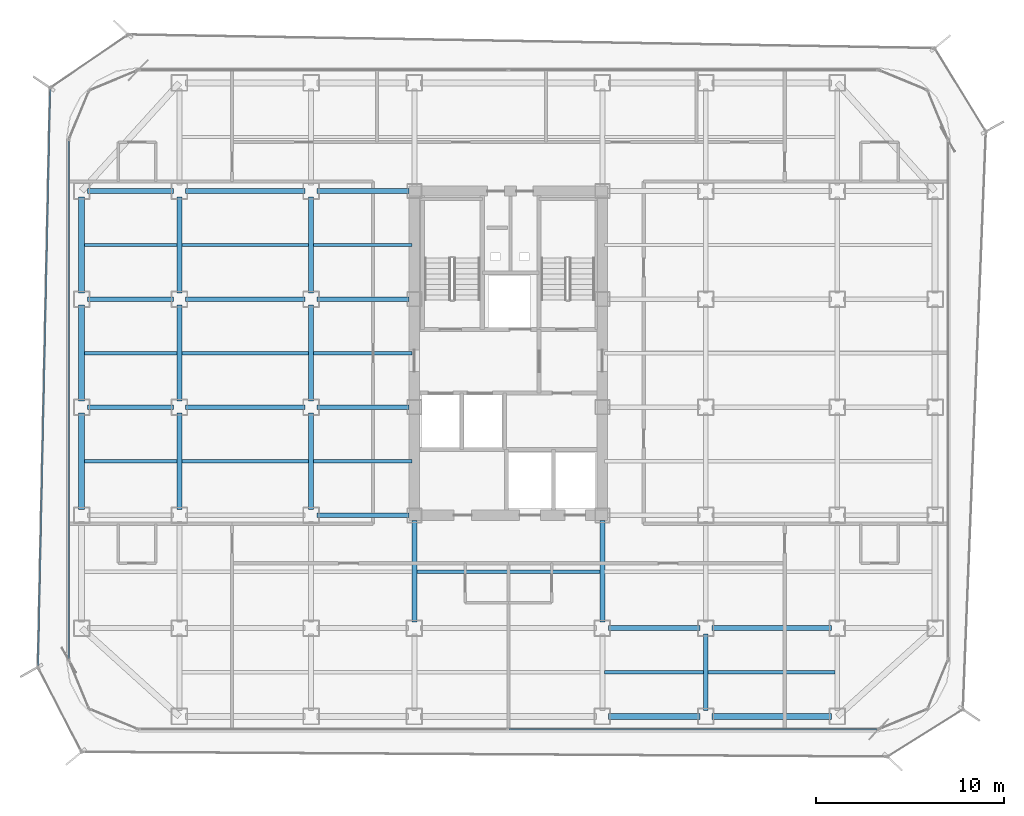
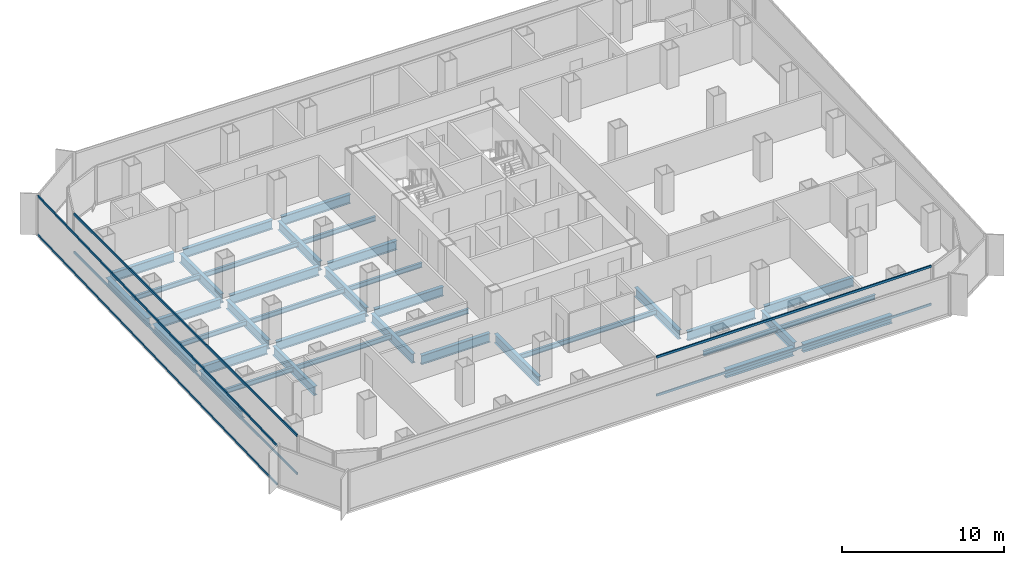
# One storey, part 5 of 21: 38 beams, 6 members, 3 elements without a shape of their own.
"""IFC4 building model written with IfcOpenShell, lengths in metres."""

from ifc_helpers import new_model, si_unit, direction, frame, origin, origin_2d, place, context, subcontext, project, spatial, hollow_rectangle, i_section, extrude, source, transform, mapped, material, layer, layer_set, material_profile, profile_set, type_object, element, aggregate, save


model = new_model("IFC4")

# Units and contexts
model_context = context("Model", 3, precision=1e-05, world=origin(), true_north=direction((0.0, 1.0)))
body_context = subcontext(model_context, "Body", "Model", "MODEL_VIEW")
ifc_project = project(units=[si_unit("LENGTHUNIT", "METRE"), si_unit("AREAUNIT", "SQUARE_METRE"), si_unit("VOLUMEUNIT", "CUBIC_METRE"), si_unit("PLANEANGLEUNIT", "RADIAN"), si_unit("MASSUNIT", "GRAM", prefix="KILO")], contexts=[model_context])

# Site, building, storey
site_placement = place(None, origin())
site = spatial("IfcSite", under=ifc_project, at=site_placement, CompositionType="ELEMENT")
building_placement = place(site_placement, origin())
building = spatial("IfcBuilding", under=site, at=building_placement, Name="Kolveth Station Tower", CompositionType="ELEMENT")
storey_placement = place(building_placement, frame((0.0, 0.0, 137.5)))
storey = spatial("IfcBuildingStorey", under=building, at=storey_placement, Name="L38", CompositionType="ELEMENT", Elevation=137.5)

# Beams
ifc_material_1 = material(Name="Steel S355", Category="steel")
ifc_material_profile_1 = material_profile(ifc_material_1, i_section(OverallWidth=0.323974609375, OverallDepth=0.611083984375, WebThickness=0.0126953125, FlangeThickness=0.01904296875, at=origin_2d()), Name="W610x155")
ifc_profile_set_1 = profile_set([ifc_material_profile_1], Name="Steel S355")
beam_type_1 = type_object("IfcBeamType", Name="Beam_SP2", PredefinedType="SPANDREL", material=ifc_profile_set_1)
shared_shape_1 = source(origin(), body_context, "Body", "SweptSolid", [
    extrude(i_section(OverallWidth=0.323974609375, OverallDepth=0.611083984375, WebThickness=0.0126953125, FlangeThickness=0.01904296875, at=origin_2d()), origin(), (0.0, 0.0, 1.0), 6.35986328125),
])
beam_1_placement = place(storey_placement, frame((34.320068359375, 0.800048828125, -0.555419921875), z_axis=(1.0, 0.0, 0.0), x_axis=(0.0, 1.0, 0.0)))
element("IfcBeam", 1, at=beam_1_placement, inside=storey, type_object=beam_type_1, Name="L38 Perimeter Spandrel BM-L38-PS-5", PredefinedType="SPANDREL", context=body_context, shape_type="MappedRepresentation", body=[
    mapped(shared_shape_1, transform((0.0, 0.0, 0.0), x_axis=(1.0, 0.0, 0.0), y_axis=(0.0, 1.0, 0.0), z_axis=(0.0, 0.0, 1.0), scale=1.0)),
])
shared_shape_2 = source(origin(), body_context, "Body", "SweptSolid", [
    extrude(i_section(OverallWidth=0.323974609375, OverallDepth=0.611083984375, WebThickness=0.0126953125, FlangeThickness=0.01904296875, at=origin_2d()), origin(), (0.0, 0.0, 1.0), 4.85986328125),
])
beam_2_placement = place(storey_placement, frame((28.820068359375, 0.800048828125, -0.555419921875), z_axis=(1.0, 0.0, 0.0), x_axis=(0.0, 1.0, 0.0)))
element("IfcBeam", 2, at=beam_2_placement, inside=storey, type_object=beam_type_1, Name="L38 Perimeter Spandrel BM-L38-PS-4", PredefinedType="SPANDREL", context=body_context, shape_type="MappedRepresentation", body=[
    mapped(shared_shape_2, transform((0.0, 0.0, 0.0), x_axis=(1.0, 0.0, 0.0), y_axis=(0.0, 1.0, 0.0), z_axis=(0.0, 0.0, 1.0), scale=1.0)),
])
shared_shape_3 = source(origin(), body_context, "Body", "SweptSolid", [
    extrude(i_section(OverallWidth=0.323974609375, OverallDepth=0.611083984375, WebThickness=0.0126953125, FlangeThickness=0.01904296875, at=origin_2d()), origin(), (0.0, 0.0, 1.0), 5.10986328125),
])
for number, where, z_axis, x_axis, name in (
    (3, (0.800048828125, 11.820068359375, -0.555419921875), (0.0, 1.0, 0.0), (-1.0, 0.0, 0.0), "L38 Perimeter Spandrel BM-L38-PW-2"),
    (4, (0.800048828125, 17.570068359375, -0.555419921875), (0.0, 1.0, 0.0), (-1.0, 0.0, 0.0), "L38 Perimeter Spandrel BM-L38-PW-3"),
    (5, (0.800048828125, 23.320068359375, -0.555419921875), (0.0, 1.0, 0.0), (-1.0, 0.0, 0.0), "L38 Perimeter Spandrel BM-L38-PW-4"),
):
    element("IfcBeam", number, at=place(storey_placement, frame(where, z_axis=z_axis, x_axis=x_axis)), inside=storey, type_object=beam_type_1, Name=name, PredefinedType="SPANDREL", context=body_context, shape_type="MappedRepresentation", body=[
        mapped(shared_shape_3, transform((0.0, 0.0, 0.0), x_axis=(1.0, 0.0, 0.0), y_axis=(0.0, 1.0, 0.0), z_axis=(0.0, 0.0, 1.0), scale=1.0)),
    ])
ifc_material_profile_2 = material_profile(ifc_material_1, i_section(OverallWidth=0.25390625, OverallDepth=0.68798828125, WebThickness=0.01318359375, FlangeThickness=0.02099609375, at=origin_2d()), Name="W690x152")
ifc_profile_set_2 = profile_set([ifc_material_profile_2], Name="Steel S355")
beam_type_2 = type_object("IfcBeamType", Name="Beam_B4", PredefinedType="BEAM", material=ifc_profile_set_2)
shared_shape_4 = source(origin(), body_context, "Body", "SweptSolid", [
    extrude(i_section(OverallWidth=0.25390625, OverallDepth=0.68798828125, WebThickness=0.01318359375, FlangeThickness=0.02099609375, at=origin_2d()), origin(), (0.0, 0.0, 1.0), 4.559814453125),
])
for number, where, z_axis, x_axis, name in (
    (6, (1.1201171875, 17.25, -0.593994140625), (1.0, 0.0, 0.0), (0.0, 1.0, 0.0), "L38 Primary Girder BM-L38-GY172-1"),
    (7, (1.1201171875, 23.0, -0.593994140625), (1.0, 0.0, 0.0), (0.0, 1.0, 0.0), "L38 Primary Girder BM-L38-GY230-1"),
    (8, (1.1201171875, 28.75, -0.593994140625), (1.0, 0.0, 0.0), (0.0, 1.0, 0.0), "L38 Primary Girder BM-L38-GY287-1"),
):
    element("IfcBeam", number, at=place(storey_placement, frame(where, z_axis=z_axis, x_axis=x_axis)), inside=storey, type_object=beam_type_2, Name=name, PredefinedType="BEAM", context=body_context, shape_type="MappedRepresentation", body=[
        mapped(shared_shape_4, transform((0.0, 0.0, 0.0), x_axis=(1.0, 0.0, 0.0), y_axis=(0.0, 1.0, 0.0), z_axis=(0.0, 0.0, 1.0), scale=1.0)),
    ])
shared_shape_5 = source(origin(), body_context, "Body", "SweptSolid", [
    extrude(i_section(OverallWidth=0.25390625, OverallDepth=0.68798828125, WebThickness=0.01318359375, FlangeThickness=0.02099609375, at=origin_2d()), origin(), (0.0, 0.0, 1.0), 6.35986328125),
])
for number, where, z_axis, x_axis, name in (
    (9, (34.320068359375, 5.5, -0.593994140625), (1.0, 0.0, 0.0), (0.0, 1.0, 0.0), "L38 Primary Girder BM-L38-GY55-6"),
    (10, (6.320068359375, 17.25, -0.593994140625), (1.0, 0.0, 0.0), (0.0, 1.0, 0.0), "L38 Primary Girder BM-L38-GY172-2"),
    (11, (6.320068359375, 23.0, -0.593994140625), (1.0, 0.0, 0.0), (0.0, 1.0, 0.0), "L38 Primary Girder BM-L38-GY230-2"),
    (12, (6.320068359375, 28.75, -0.593994140625), (1.0, 0.0, 0.0), (0.0, 1.0, 0.0), "L38 Primary Girder BM-L38-GY287-2"),
):
    element("IfcBeam", number, at=place(storey_placement, frame(where, z_axis=z_axis, x_axis=x_axis)), inside=storey, type_object=beam_type_2, Name=name, PredefinedType="BEAM", context=body_context, shape_type="MappedRepresentation", body=[
        mapped(shared_shape_5, transform((0.0, 0.0, 0.0), x_axis=(1.0, 0.0, 0.0), y_axis=(0.0, 1.0, 0.0), z_axis=(0.0, 0.0, 1.0), scale=1.0)),
    ])
shared_shape_6 = source(origin(), body_context, "Body", "SweptSolid", [
    extrude(i_section(OverallWidth=0.25390625, OverallDepth=0.68798828125, WebThickness=0.01318359375, FlangeThickness=0.02099609375, at=origin_2d()), origin(), (0.0, 0.0, 1.0), 4.85986328125),
])
beam_3_placement = place(storey_placement, frame((28.820068359375, 5.5, -0.593994140625), z_axis=(1.0, 0.0, 0.0), x_axis=(0.0, 1.0, 0.0)))
element("IfcBeam", 13, at=beam_3_placement, inside=storey, type_object=beam_type_2, Name="L38 Primary Girder BM-L38-GY55-5", PredefinedType="BEAM", context=body_context, shape_type="MappedRepresentation", body=[
    mapped(shared_shape_6, transform((0.0, 0.0, 0.0), x_axis=(1.0, 0.0, 0.0), y_axis=(0.0, 1.0, 0.0), z_axis=(0.0, 0.0, 1.0), scale=1.0)),
])
shared_shape_7 = source(origin(), body_context, "Body", "SweptSolid", [
    extrude(i_section(OverallWidth=0.25390625, OverallDepth=0.68798828125, WebThickness=0.01318359375, FlangeThickness=0.02099609375, at=origin_2d()), origin(), (0.0, 0.0, 1.0), 4.89990234375),
])
for number, where, z_axis, x_axis, name in (
    (14, (13.320068359375, 11.5, -0.593994140625), (1.0, 0.0, 0.0), (0.0, 1.0, 0.0), "L38 Primary Girder BM-L38-GY115-3"),
    (15, (13.320068359375, 17.25, -0.593994140625), (1.0, 0.0, 0.0), (0.0, 1.0, 0.0), "L38 Primary Girder BM-L38-GY172-3"),
    (16, (13.320068359375, 23.0, -0.593994140625), (1.0, 0.0, 0.0), (0.0, 1.0, 0.0), "L38 Primary Girder BM-L38-GY230-3"),
    (17, (13.320068359375, 28.75, -0.593994140625), (1.0, 0.0, 0.0), (0.0, 1.0, 0.0), "L38 Primary Girder BM-L38-GY287-3"),
):
    element("IfcBeam", number, at=place(storey_placement, frame(where, z_axis=z_axis, x_axis=x_axis)), inside=storey, type_object=beam_type_2, Name=name, PredefinedType="BEAM", context=body_context, shape_type="MappedRepresentation", body=[
        mapped(shared_shape_7, transform((0.0, 0.0, 0.0), x_axis=(1.0, 0.0, 0.0), y_axis=(0.0, 1.0, 0.0), z_axis=(0.0, 0.0, 1.0), scale=1.0)),
    ])
shared_shape_8 = source(origin(), body_context, "Body", "SweptSolid", [
    extrude(i_section(OverallWidth=0.25390625, OverallDepth=0.68798828125, WebThickness=0.01318359375, FlangeThickness=0.02099609375, at=origin_2d()), origin(), (0.0, 0.0, 1.0), 4.059814453125),
])
beam_4_placement = place(storey_placement, frame((34.0, 1.1201171875, -0.593994140625), z_axis=(0.0, 1.0, 0.0), x_axis=(-1.0, 0.0, 0.0)))
element("IfcBeam", 18, at=beam_4_placement, inside=storey, type_object=beam_type_2, Name="L38 Primary Girder BM-L38-GX340-1", PredefinedType="BEAM", context=body_context, shape_type="MappedRepresentation", body=[
    mapped(shared_shape_8, transform((0.0, 0.0, 0.0), x_axis=(1.0, 0.0, 0.0), y_axis=(0.0, 1.0, 0.0), z_axis=(0.0, 0.0, 1.0), scale=1.0)),
])
shared_shape_9 = source(origin(), body_context, "Body", "SweptSolid", [
    extrude(i_section(OverallWidth=0.25390625, OverallDepth=0.68798828125, WebThickness=0.01318359375, FlangeThickness=0.02099609375, at=origin_2d()), origin(), (0.0, 0.0, 1.0), 5.10986328125),
])
for number, where, z_axis, x_axis, name in (
    (19, (6.0, 11.820068359375, -0.593994140625), (0.0, 1.0, 0.0), (-1.0, 0.0, 0.0), "L38 Primary Girder BM-L38-GX60-3"),
    (20, (6.0, 17.570068359375, -0.593994140625), (0.0, 1.0, 0.0), (-1.0, 0.0, 0.0), "L38 Primary Girder BM-L38-GX60-4"),
    (21, (6.0, 23.320068359375, -0.593994140625), (0.0, 1.0, 0.0), (-1.0, 0.0, 0.0), "L38 Primary Girder BM-L38-GX60-5"),
    (22, (13.0, 11.820068359375, -0.593994140625), (0.0, 1.0, 0.0), (-1.0, 0.0, 0.0), "L38 Primary Girder BM-L38-GX130-3"),
    (23, (13.0, 17.570068359375, -0.593994140625), (0.0, 1.0, 0.0), (-1.0, 0.0, 0.0), "L38 Primary Girder BM-L38-GX130-4"),
    (24, (13.0, 23.320068359375, -0.593994140625), (0.0, 1.0, 0.0), (-1.0, 0.0, 0.0), "L38 Primary Girder BM-L38-GX130-5"),
):
    element("IfcBeam", number, at=place(storey_placement, frame(where, z_axis=z_axis, x_axis=x_axis)), inside=storey, type_object=beam_type_2, Name=name, PredefinedType="BEAM", context=body_context, shape_type="MappedRepresentation", body=[
        mapped(shared_shape_9, transform((0.0, 0.0, 0.0), x_axis=(1.0, 0.0, 0.0), y_axis=(0.0, 1.0, 0.0), z_axis=(0.0, 0.0, 1.0), scale=1.0)),
    ])
shared_shape_10 = source(origin(), body_context, "Body", "SweptSolid", [
    extrude(i_section(OverallWidth=0.25390625, OverallDepth=0.68798828125, WebThickness=0.01318359375, FlangeThickness=0.02099609375, at=origin_2d()), origin(), (0.0, 0.0, 1.0), 5.39990234375),
])
for number, where, z_axis, x_axis, name in (
    (25, (18.5, 5.820068359375, -0.593994140625), (0.0, 1.0, 0.0), (-1.0, 0.0, 0.0), "L38 Primary Girder BM-L38-GX185-2"),
    (26, (28.5, 5.820068359375, -0.593994140625), (0.0, 1.0, 0.0), (-1.0, 0.0, 0.0), "L38 Primary Girder BM-L38-GX285-2"),
):
    element("IfcBeam", number, at=place(storey_placement, frame(where, z_axis=z_axis, x_axis=x_axis)), inside=storey, type_object=beam_type_2, Name=name, PredefinedType="BEAM", context=body_context, shape_type="MappedRepresentation", body=[
        mapped(shared_shape_10, transform((0.0, 0.0, 0.0), x_axis=(1.0, 0.0, 0.0), y_axis=(0.0, 1.0, 0.0), z_axis=(0.0, 0.0, 1.0), scale=1.0)),
    ])
ifc_material_profile_3 = material_profile(ifc_material_1, i_section(OverallWidth=0.1708984375, OverallDepth=0.35205078125, WebThickness=0.0068359375, FlangeThickness=0.009765625, at=origin_2d()), Name="W360x44")
ifc_profile_set_3 = profile_set([ifc_material_profile_3], Name="Steel S355")
beam_type_3 = type_object("IfcBeamType", Name="Beam_J2", PredefinedType="JOIST", material=ifc_profile_set_3)
shared_shape_11 = source(origin(), body_context, "Body", "SweptSolid", [
    extrude(i_section(OverallWidth=0.1708984375, OverallDepth=0.35205078125, WebThickness=0.0068359375, FlangeThickness=0.009765625, at=origin_2d()), origin(), (0.0, 0.0, 1.0), 4.9150390625),
])
for number, where, z_axis, x_axis, name in (
    (27, (0.9599609375, 14.375, -0.426025390625), (1.0, 0.0, 0.0), (0.0, 1.0, 0.0), "L38 Secondary Joist JST-L38-1-3"),
    (28, (0.9599609375, 20.125, -0.426025390625), (1.0, 0.0, 0.0), (0.0, 1.0, 0.0), "L38 Secondary Joist JST-L38-1-4"),
    (29, (0.9599609375, 25.875, -0.426025390625), (1.0, 0.0, 0.0), (0.0, 1.0, 0.0), "L38 Secondary Joist JST-L38-1-5"),
):
    element("IfcBeam", number, at=place(storey_placement, frame(where, z_axis=z_axis, x_axis=x_axis)), inside=storey, type_object=beam_type_3, Name=name, PredefinedType="JOIST", context=body_context, shape_type="MappedRepresentation", body=[
        mapped(shared_shape_11, transform((0.0, 0.0, 0.0), x_axis=(1.0, 0.0, 0.0), y_axis=(0.0, 1.0, 0.0), z_axis=(0.0, 0.0, 1.0), scale=1.0)),
    ])
shared_shape_12 = source(origin(), body_context, "Body", "SweptSolid", [
    extrude(i_section(OverallWidth=0.1708984375, OverallDepth=0.35205078125, WebThickness=0.0068359375, FlangeThickness=0.009765625, at=origin_2d()), origin(), (0.0, 0.0, 1.0), 6.75),
])
for number, where, z_axis, x_axis, name in (
    (30, (6.125, 14.375, -0.426025390625), (1.0, 0.0, 0.0), (0.0, 1.0, 0.0), "L38 Secondary Joist JST-L38-2-3"),
    (31, (6.125, 20.125, -0.426025390625), (1.0, 0.0, 0.0), (0.0, 1.0, 0.0), "L38 Secondary Joist JST-L38-2-4"),
    (32, (6.125, 25.875, -0.426025390625), (1.0, 0.0, 0.0), (0.0, 1.0, 0.0), "L38 Secondary Joist JST-L38-2-5"),
    (33, (34.125, 3.14990234375, -0.426025390625), (1.0, 0.0, 0.0), (0.0, 1.0, 0.0), "L38 Secondary Joist JST-L38-6-1"),
):
    element("IfcBeam", number, at=place(storey_placement, frame(where, z_axis=z_axis, x_axis=x_axis)), inside=storey, type_object=beam_type_3, Name=name, PredefinedType="JOIST", context=body_context, shape_type="MappedRepresentation", body=[
        mapped(shared_shape_12, transform((0.0, 0.0, 0.0), x_axis=(1.0, 0.0, 0.0), y_axis=(0.0, 1.0, 0.0), z_axis=(0.0, 0.0, 1.0), scale=1.0)),
    ])
shared_shape_13 = source(origin(), body_context, "Body", "SweptSolid", [
    extrude(i_section(OverallWidth=0.1708984375, OverallDepth=0.35205078125, WebThickness=0.0068359375, FlangeThickness=0.009765625, at=origin_2d()), origin(), (0.0, 0.0, 1.0), 5.25),
])
for number, where, z_axis, x_axis, name in (
    (34, (13.125, 14.375, -0.426025390625), (1.0, 0.0, 0.0), (0.0, 1.0, 0.0), "L38 Secondary Joist JST-L38-3-3"),
    (35, (13.125, 20.125, -0.426025390625), (1.0, 0.0, 0.0), (0.0, 1.0, 0.0), "L38 Secondary Joist JST-L38-3-4"),
    (36, (13.125, 25.875, -0.426025390625), (1.0, 0.0, 0.0), (0.0, 1.0, 0.0), "L38 Secondary Joist JST-L38-3-5"),
    (37, (28.625, 3.14990234375, -0.426025390625), (1.0, 0.0, 0.0), (0.0, 1.0, 0.0), "L38 Secondary Joist JST-L38-5-1"),
):
    element("IfcBeam", number, at=place(storey_placement, frame(where, z_axis=z_axis, x_axis=x_axis)), inside=storey, type_object=beam_type_3, Name=name, PredefinedType="JOIST", context=body_context, shape_type="MappedRepresentation", body=[
        mapped(shared_shape_13, transform((0.0, 0.0, 0.0), x_axis=(1.0, 0.0, 0.0), y_axis=(0.0, 1.0, 0.0), z_axis=(0.0, 0.0, 1.0), scale=1.0)),
    ])
shared_shape_14 = source(origin(), body_context, "Body", "SweptSolid", [
    extrude(i_section(OverallWidth=0.1708984375, OverallDepth=0.35205078125, WebThickness=0.0068359375, FlangeThickness=0.009765625, at=origin_2d()), origin(), (0.0, 0.0, 1.0), 9.75),
])
beam_5_placement = place(storey_placement, frame((18.625, 8.5, -0.426025390625), z_axis=(1.0, 0.0, 0.0), x_axis=(0.0, 1.0, 0.0)))
element("IfcBeam", 38, at=beam_5_placement, inside=storey, type_object=beam_type_3, Name="L38 Secondary Joist JST-L38-4-2", PredefinedType="JOIST", context=body_context, shape_type="MappedRepresentation", body=[
    mapped(shared_shape_14, transform((0.0, 0.0, 0.0), x_axis=(1.0, 0.0, 0.0), y_axis=(0.0, 1.0, 0.0), z_axis=(0.0, 0.0, 1.0), scale=1.0)),
])

# Curtain wall, members
ifc_material_2 = material(Name="Aluminium 6063-T6 and low-E dark glass", Category="aluminium")
ifc_layer_1 = layer(ifc_material_2, 0.18994140625)
ifc_layer_set_1 = layer_set([ifc_layer_1], Name="Aluminium 6063-T6 and low-E dark glass")
curtain_wall_type_1 = type_object("IfcCurtainWallType", Name="CurtainWall_CW-Z2", PredefinedType="NOTDEFINED", material=ifc_layer_set_1)
curtain_wall_1_placement = place(storey_placement, origin())
curtain_wall_1 = element("IfcCurtainWall", 39, at=curtain_wall_1_placement, inside=storey, type_object=curtain_wall_type_1, Name="L38 Inner Thermal Curtain Wall 9", PredefinedType="NOTDEFINED")
ifc_material_3 = material(Name="Black anodized aluminium 6063-T6", Category="aluminium")
ifc_material_profile_4 = material_profile(ifc_material_3, hollow_rectangle(XDim=0.080078125, YDim=0.169921875, WallThickness=0.0048828125, at=origin_2d()), Name="ALU-80x170x5")
ifc_profile_set_4 = profile_set([ifc_material_profile_4], Name="Black anodized aluminium 6063-T6")
member_type_1 = type_object("IfcMemberType", Name="Transom_TR2", PredefinedType="USERDEFINED", material=ifc_profile_set_4)
shared_shape_15 = source(origin(), body_context, "Body", "SweptSolid", [
    extrude(hollow_rectangle(XDim=0.080078125, YDim=0.169921875, WallThickness=0.0048828125, at=origin_2d()), origin(), (0.0, 0.0, 1.0), 27.5400390625),
])
member_1_placement = place(storey_placement, frame((0.1201171875, 31.419921875, 0.0400390625), z_axis=(0.0, -1.0, 0.0), x_axis=(1.0, 0.0, 0.0)))
member_1 = element("IfcMember", 40, at=member_1_placement, type_object=member_type_1, Name="CW-Z2 transom 1.1", ObjectType="TRANSOM", PredefinedType="USERDEFINED", context=body_context, shape_type="MappedRepresentation", body=[
    mapped(shared_shape_15, transform((0.0, 0.0, 0.0), x_axis=(1.0, 0.0, 0.0), y_axis=(0.0, 1.0, 0.0), z_axis=(0.0, 0.0, 1.0), scale=1.0)),
])
member_2_placement = place(storey_placement, frame((0.1201171875, 31.419921875, 2.909912109375), z_axis=(0.0, -1.0, 0.0), x_axis=(1.0, 0.0, 0.0)))
member_2 = element("IfcMember", 41, at=member_2_placement, type_object=member_type_1, Name="CW-Z2 transom 1.2", ObjectType="TRANSOM", PredefinedType="USERDEFINED", context=body_context, shape_type="MappedRepresentation", body=[
    mapped(shared_shape_15, transform((0.0, 0.0, 0.0), x_axis=(1.0, 0.0, 0.0), y_axis=(0.0, 1.0, 0.0), z_axis=(0.0, 0.0, 1.0), scale=1.0)),
])
aggregate(curtain_wall_1, [member_1, member_2])

curtain_wall_2_placement = place(storey_placement, origin())
curtain_wall_2 = element("IfcCurtainWall", 42, at=curtain_wall_2_placement, inside=storey, type_object=curtain_wall_type_1, Name="L38 Inner Thermal Curtain Wall 12", PredefinedType="NOTDEFINED")
shared_shape_16 = source(origin(), body_context, "Body", "SweptSolid", [
    extrude(hollow_rectangle(XDim=0.080078125, YDim=0.169921875, WallThickness=0.0048828125, at=origin_2d()), origin(), (0.0, 0.0, 1.0), 19.580078125),
])
member_3_placement = place(storey_placement, frame((23.5400390625, 0.1201171875, 0.0400390625), z_axis=(1.0, 0.0, 0.0), x_axis=(0.0, 1.0, 0.0)))
member_3 = element("IfcMember", 43, at=member_3_placement, type_object=member_type_1, Name="CW-Z2 transom 2.1", ObjectType="TRANSOM", PredefinedType="USERDEFINED", context=body_context, shape_type="MappedRepresentation", body=[
    mapped(shared_shape_16, transform((0.0, 0.0, 0.0), x_axis=(1.0, 0.0, 0.0), y_axis=(0.0, 1.0, 0.0), z_axis=(0.0, 0.0, 1.0), scale=1.0)),
])
member_4_placement = place(storey_placement, frame((23.5400390625, 0.1201171875, 2.909912109375), z_axis=(1.0, 0.0, 0.0), x_axis=(0.0, 1.0, 0.0)))
member_4 = element("IfcMember", 44, at=member_4_placement, type_object=member_type_1, Name="CW-Z2 transom 2.2", ObjectType="TRANSOM", PredefinedType="USERDEFINED", context=body_context, shape_type="MappedRepresentation", body=[
    mapped(shared_shape_16, transform((0.0, 0.0, 0.0), x_axis=(1.0, 0.0, 0.0), y_axis=(0.0, 1.0, 0.0), z_axis=(0.0, 0.0, 1.0), scale=1.0)),
])
aggregate(curtain_wall_2, [member_3, member_4])

ifc_material_4 = material(Name="Black anodized aluminium 6063-T6 and dark solar glass", Category="aluminium")
ifc_layer_2 = layer(ifc_material_4, 0.159912109375)
ifc_layer_set_2 = layer_set([ifc_layer_2], Name="Black anodized aluminium 6063-T6 and dark solar glass")
curtain_wall_type_2 = type_object("IfcCurtainWallType", Name="OUTER SKIN CW-OS", PredefinedType="NOTDEFINED", material=ifc_layer_set_2)
curtain_wall_3_placement = place(storey_placement, origin())
curtain_wall_3 = element("IfcCurtainWall", 45, at=curtain_wall_3_placement, inside=storey, type_object=curtain_wall_type_2, Name="L38 Outer Ventilated Skin Curtain Wall 6", PredefinedType="NOTDEFINED")
ifc_material_profile_5 = material_profile(ifc_material_3, hollow_rectangle(XDim=0.080078125, YDim=0.14990234375, WallThickness=0.0048828125, at=origin_2d()), Name="ALU-80x150x5")
ifc_profile_set_5 = profile_set([ifc_material_profile_5], Name="Black anodized aluminium 6063-T6")
member_type_2 = type_object("IfcMemberType", Name="Transom_TR-OS", PredefinedType="USERDEFINED", material=ifc_profile_set_5)
shared_shape_17 = source(origin(), body_context, "Body", "SweptSolid", [
    extrude(hollow_rectangle(XDim=0.080078125, YDim=0.14990234375, WallThickness=0.0048828125, at=origin_2d()), origin(), (0.0, 0.0, 1.0), 30.63671875),
])
member_5_placement = place(storey_placement, frame((-0.878173828125, 34.148193359375, 0.0400390625), z_axis=(-0.021053836946, -0.999778343409, 0.0), x_axis=(0.999778343409, -0.021053836946, 0.0)))
member_5 = element("IfcMember", 46, at=member_5_placement, type_object=member_type_2, Name="CW-OS transom 1.1", ObjectType="TRANSOM", PredefinedType="USERDEFINED", context=body_context, shape_type="MappedRepresentation", body=[
    mapped(shared_shape_17, transform((0.0, 0.0, 0.0), x_axis=(1.0, 0.0, 0.0), y_axis=(0.0, 1.0, 0.0), z_axis=(0.0, 0.0, 1.0), scale=1.0)),
])
member_6_placement = place(storey_placement, frame((-0.878173828125, 34.148193359375, 2.949951171875), z_axis=(-0.021053836946, -0.999778343409, 0.0), x_axis=(0.999778343409, -0.021053836946, 0.0)))
member_6 = element("IfcMember", 47, at=member_6_placement, type_object=member_type_2, Name="CW-OS transom 1.2", ObjectType="TRANSOM", PredefinedType="USERDEFINED", context=body_context, shape_type="MappedRepresentation", body=[
    mapped(shared_shape_17, transform((0.0, 0.0, 0.0), x_axis=(1.0, 0.0, 0.0), y_axis=(0.0, 1.0, 0.0), z_axis=(0.0, 0.0, 1.0), scale=1.0)),
])
aggregate(curtain_wall_3, [member_5, member_6])

save(model, "model.ifc")
